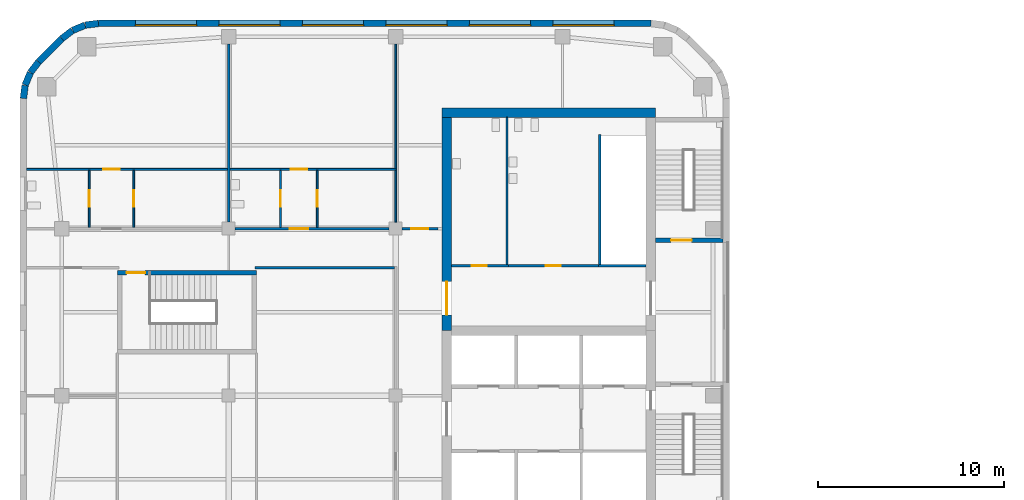
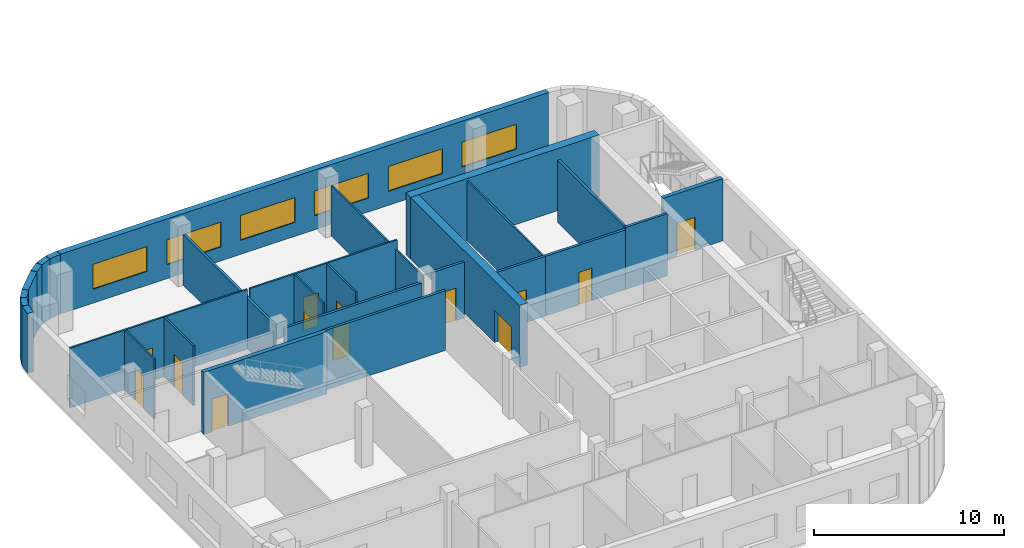
# One storey, part 7 of 16: 29 walls, 13 doors, 6 windows, 19 openings.
"""IFC4 building model written with IfcOpenShell, lengths in metres."""

from ifc_helpers import new_model, si_unit, direction, frame, frame_2d, origin, place, context, subcontext, project, spatial, rectangle, extrude, material, layer, layer_set, type_object, element, fill, save


model = new_model("IFC4")

# Units and contexts
model_context = context("Model", 3, precision=1e-05, world=origin(), true_north=direction((0.0, 1.0)))
body_context = subcontext(model_context, "Body", "Model", "MODEL_VIEW")
ifc_project = project(units=[si_unit("LENGTHUNIT", "METRE"), si_unit("AREAUNIT", "SQUARE_METRE"), si_unit("VOLUMEUNIT", "CUBIC_METRE"), si_unit("PLANEANGLEUNIT", "RADIAN"), si_unit("MASSUNIT", "GRAM", prefix="KILO")], contexts=[model_context])

# Site, building, storey
site_placement = place(None, origin())
site = spatial("IfcSite", under=ifc_project, at=site_placement, CompositionType="ELEMENT")
building_placement = place(site_placement, origin())
building = spatial("IfcBuilding", under=site, at=building_placement, Name="Cinnabar Reach Civic Tower", CompositionType="ELEMENT")
storey_placement = place(building_placement, frame((0.0, 0.0, 55.0)))
storey = spatial("IfcBuildingStorey", under=building, at=storey_placement, Name="L12", CompositionType="ELEMENT", Elevation=55.0)

# Walls
ifc_material_1 = material(Name="Facing brick with insulated backing", Category="masonry")
ifc_layer_1 = layer(ifc_material_1, 0.36)
ifc_layer_set_1 = layer_set([ifc_layer_1], Name="Brick corner wall")
wall_type_1 = type_object("IfcWallType", Name="Brick corner wall", PredefinedType="STANDARD", material=ifc_layer_set_1)
for number, where, z_axis, x_axis, name in (
    (1, (-61.0186, 47.067, 0.0), (0.0, 0.0, 1.0), (-0.99144092581, -0.13055608231, 0.0), "Brick corner wall"),
    (2, (-61.7473, 46.9681, 0.0), (0.0, 0.0, 1.0), (-0.923871547278, -0.382702709855, 0.0), "Brick corner wall"),
):
    element("IfcWall", number, at=place(storey_placement, frame(where, z_axis=z_axis, x_axis=x_axis)), inside=storey, type_object=wall_type_1, Name=name, PredefinedType="STANDARD", context=body_context, shape_type="SweptSolid", body=[
        extrude(rectangle(XDim=0.7131, YDim=0.36, at=frame_2d((0.3565, 0.0))), origin(), (0.0, 0.0, 1.0), 3.85),
    ])
for number, where, z_axis, x_axis, name in (
    (3, (-62.4255, 46.684, 0.0), (0.0, 0.0, 1.0), (-0.793321924995, -0.608802368033, 0.0), "Brick corner wall"),
    (4, (-64.2498, 44.9913, 0.0), (0.0, 0.0, 1.0), (-0.608802368033, -0.793321924995, 0.0), "Brick corner wall"),
):
    element("IfcWall", number, at=place(storey_placement, frame(where, z_axis=z_axis, x_axis=x_axis)), inside=storey, type_object=wall_type_1, Name=name, PredefinedType="STANDARD", context=body_context, shape_type="SweptSolid", body=[
        extrude(rectangle(XDim=0.7132, YDim=0.36, at=frame_2d((0.3566, 0.0))), origin(), (0.0, 0.0, 1.0), 3.85),
    ])
for number, where, z_axis, x_axis, name in (
    (5, (-64.6952, 44.4061, 0.0), (0.0, 0.0, 1.0), (-0.382702709855, -0.923871547278, 0.0), "Brick corner wall"),
    (6, (-64.9739, 43.7256, 0.0), (0.0, 0.0, 1.0), (-0.13055608231, -0.99144092581, 0.0), "Brick corner wall"),
):
    element("IfcWall", number, at=place(storey_placement, frame(where, z_axis=z_axis, x_axis=x_axis)), inside=storey, type_object=wall_type_1, Name=name, PredefinedType="STANDARD", context=body_context, shape_type="SweptSolid", body=[
        extrude(rectangle(XDim=0.7131, YDim=0.36, at=frame_2d((0.3565, 0.0))), origin(), (0.0, 0.0, 1.0), 3.85),
    ])

# Wall, openings, windows
ifc_layer_2 = layer(ifc_material_1, 0.36)
ifc_layer_set_2 = layer_set([ifc_layer_2], Name="Brick pier and spandrel wall")
wall_type_2 = type_object("IfcWallType", Name="Brick pier and spandrel wall", PredefinedType="STANDARD", material=ifc_layer_set_2)
wall_1_placement = place(storey_placement, frame((-31.2426, 47.07, 0.0), z_axis=(0.0, 0.0, 1.0), x_axis=(-1.0, 0.0, 0.0)))
wall_1 = element("IfcWall", 7, at=wall_1_placement, inside=storey, type_object=wall_type_2, Name="Brick facade wall", PredefinedType="STANDARD", context=body_context, shape_type="SweptSolid", body=[
    extrude(rectangle(XDim=29.7648, YDim=0.36, at=frame_2d((14.8824, 0.0))), origin(), (0.0, 0.0, 1.0), 3.85),
])
opening_1_placement = place(wall_1_placement, frame((1.9824, 0.0, 0.9)))
opening_1 = element("IfcOpeningElement", 8, at=opening_1_placement, cuts=wall_1, Name="Opening W2504", PredefinedType="OPENING", context=body_context, shape_type="SweptSolid", body=[
    extrude(rectangle(XDim=3.3, YDim=1.6, at=frame_2d((1.65, 0.8))), frame((0.0, 0.19, 0.0), z_axis=(0.0, -1.0, 0.0), x_axis=(1.0, 0.0, 0.0)), (0.0, 0.0, 1.0), 0.38),
])
opening_2_placement = place(wall_1_placement, frame((6.4824, 0.0, 0.9)))
opening_2 = element("IfcOpeningElement", 9, at=opening_2_placement, cuts=wall_1, Name="Opening W2505", PredefinedType="OPENING", context=body_context, shape_type="SweptSolid", body=[
    extrude(rectangle(XDim=3.3, YDim=1.6, at=frame_2d((1.65, 0.8))), frame((0.0, 0.19, 0.0), z_axis=(0.0, -1.0, 0.0), x_axis=(1.0, 0.0, 0.0)), (0.0, 0.0, 1.0), 0.38),
])
opening_3_placement = place(wall_1_placement, frame((10.9824, 0.0, 0.9)))
opening_3 = element("IfcOpeningElement", 10, at=opening_3_placement, cuts=wall_1, Name="Opening W2506", PredefinedType="OPENING", context=body_context, shape_type="SweptSolid", body=[
    extrude(rectangle(XDim=3.3, YDim=1.6, at=frame_2d((1.65, 0.8))), frame((0.0, 0.19, 0.0), z_axis=(0.0, -1.0, 0.0), x_axis=(1.0, 0.0, 0.0)), (0.0, 0.0, 1.0), 0.38),
])
opening_4_placement = place(wall_1_placement, frame((15.4824, 0.0, 0.9)))
opening_4 = element("IfcOpeningElement", 11, at=opening_4_placement, cuts=wall_1, Name="Opening W2507", PredefinedType="OPENING", context=body_context, shape_type="SweptSolid", body=[
    extrude(rectangle(XDim=3.3, YDim=1.6, at=frame_2d((1.65, 0.8))), frame((0.0, 0.19, 0.0), z_axis=(0.0, -1.0, 0.0), x_axis=(1.0, 0.0, 0.0)), (0.0, 0.0, 1.0), 0.38),
])
opening_5_placement = place(wall_1_placement, frame((19.9824, 0.0, 0.9)))
opening_5 = element("IfcOpeningElement", 12, at=opening_5_placement, cuts=wall_1, Name="Opening W2508", PredefinedType="OPENING", context=body_context, shape_type="SweptSolid", body=[
    extrude(rectangle(XDim=3.3, YDim=1.6, at=frame_2d((1.65, 0.8))), frame((0.0, 0.19, 0.0), z_axis=(0.0, -1.0, 0.0), x_axis=(1.0, 0.0, 0.0)), (0.0, 0.0, 1.0), 0.38),
])
opening_6_placement = place(wall_1_placement, frame((24.4824, 0.0, 0.9)))
opening_6 = element("IfcOpeningElement", 13, at=opening_6_placement, cuts=wall_1, Name="Opening W2509", PredefinedType="OPENING", context=body_context, shape_type="SweptSolid", body=[
    extrude(rectangle(XDim=3.3, YDim=1.6, at=frame_2d((1.65, 0.8))), frame((0.0, 0.19, 0.0), z_axis=(0.0, -1.0, 0.0), x_axis=(1.0, 0.0, 0.0)), (0.0, 0.0, 1.0), 0.38),
])
ifc_material_2 = material(Name="Clear double glazing in aluminium frame", Category="aluminium")
window_type = type_object("IfcWindowType", Name="Deep-set window A", PartitioningType="SINGLE_PANEL", PredefinedType="WINDOW", material=ifc_material_2)
window_1_placement = place(opening_1_placement, origin())
window_1 = element("IfcWindow", 14, at=window_1_placement, inside=storey, type_object=window_type, Name="Window north face", OverallHeight=1.6, OverallWidth=3.3, PartitioningType="SINGLE_PANEL", PredefinedType="WINDOW", context=body_context, shape_type="SweptSolid", body=[
    extrude(rectangle(XDim=3.3, YDim=1.6, at=frame_2d((1.65, 0.8))), frame((0.0, 0.13, 0.0), z_axis=(0.0, -1.0, 0.0), x_axis=(1.0, 0.0, 0.0)), (0.0, 0.0, 1.0), 0.06),
])
fill(opening_1, window_1)
window_2_placement = place(opening_2_placement, origin())
window_2 = element("IfcWindow", 15, at=window_2_placement, inside=storey, type_object=window_type, Name="Window north face", OverallHeight=1.6, OverallWidth=3.3, PartitioningType="SINGLE_PANEL", PredefinedType="WINDOW", context=body_context, shape_type="SweptSolid", body=[
    extrude(rectangle(XDim=3.3, YDim=1.6, at=frame_2d((1.65, 0.8))), frame((0.0, 0.13, 0.0), z_axis=(0.0, -1.0, 0.0), x_axis=(1.0, 0.0, 0.0)), (0.0, 0.0, 1.0), 0.06),
])
fill(opening_2, window_2)
window_3_placement = place(opening_3_placement, origin())
window_3 = element("IfcWindow", 16, at=window_3_placement, inside=storey, type_object=window_type, Name="Window north face", OverallHeight=1.6, OverallWidth=3.3, PartitioningType="SINGLE_PANEL", PredefinedType="WINDOW", context=body_context, shape_type="SweptSolid", body=[
    extrude(rectangle(XDim=3.3, YDim=1.6, at=frame_2d((1.65, 0.8))), frame((0.0, 0.13, 0.0), z_axis=(0.0, -1.0, 0.0), x_axis=(1.0, 0.0, 0.0)), (0.0, 0.0, 1.0), 0.06),
])
fill(opening_3, window_3)
window_4_placement = place(opening_4_placement, origin())
window_4 = element("IfcWindow", 17, at=window_4_placement, inside=storey, type_object=window_type, Name="Window north face", OverallHeight=1.6, OverallWidth=3.3, PartitioningType="SINGLE_PANEL", PredefinedType="WINDOW", context=body_context, shape_type="SweptSolid", body=[
    extrude(rectangle(XDim=3.3, YDim=1.6, at=frame_2d((1.65, 0.8))), frame((0.0, 0.13, 0.0), z_axis=(0.0, -1.0, 0.0), x_axis=(1.0, 0.0, 0.0)), (0.0, 0.0, 1.0), 0.06),
])
fill(opening_4, window_4)
window_5_placement = place(opening_5_placement, origin())
window_5 = element("IfcWindow", 18, at=window_5_placement, inside=storey, type_object=window_type, Name="Window north face", OverallHeight=1.6, OverallWidth=3.3, PartitioningType="SINGLE_PANEL", PredefinedType="WINDOW", context=body_context, shape_type="SweptSolid", body=[
    extrude(rectangle(XDim=3.3, YDim=1.6, at=frame_2d((1.65, 0.8))), frame((0.0, 0.13, 0.0), z_axis=(0.0, -1.0, 0.0), x_axis=(1.0, 0.0, 0.0)), (0.0, 0.0, 1.0), 0.06),
])
fill(opening_5, window_5)
window_6_placement = place(opening_6_placement, origin())
window_6 = element("IfcWindow", 19, at=window_6_placement, inside=storey, type_object=window_type, Name="Window north face", OverallHeight=1.6, OverallWidth=3.3, PartitioningType="SINGLE_PANEL", PredefinedType="WINDOW", context=body_context, shape_type="SweptSolid", body=[
    extrude(rectangle(XDim=3.3, YDim=1.6, at=frame_2d((1.65, 0.8))), frame((0.0, 0.13, 0.0), z_axis=(0.0, -1.0, 0.0), x_axis=(1.0, 0.0, 0.0)), (0.0, 0.0, 1.0), 0.06),
])
fill(opening_6, window_6)

# Walls
wall_2_placement = place(storey_placement, frame((-63.0014, 46.244, 0.0), z_axis=(0.0, 0.0, 1.0), x_axis=(-0.707106781187, -0.707106781187, 0.0)))
element("IfcWall", 20, at=wall_2_placement, inside=storey, type_object=wall_type_2, Name="Brick facade wall", PredefinedType="STANDARD", context=body_context, shape_type="SweptSolid", body=[
    extrude(rectangle(XDim=1.7573, YDim=0.36, at=frame_2d((0.8787, 0.0))), origin(), (0.0, 0.0, 1.0), 3.85),
])
ifc_material_3 = material(Name="Concrete C60", Category="concrete")
ifc_layer_3 = layer(ifc_material_3, 0.5)
ifc_layer_set_3 = layer_set([ifc_layer_3], Name="Core wall 500 EI 180")
wall_type_3 = type_object("IfcWallType", Name="Core wall 500 EI 180", PredefinedType="SOLIDWALL", material=ifc_layer_set_3)
wall_3_placement = place(storey_placement, frame((-31.0, 42.25, 0.0), z_axis=(0.0, 0.0, 1.0), x_axis=(-1.0, 0.0, 0.0)))
element("IfcWall", 21, at=wall_3_placement, inside=storey, type_object=wall_type_3, Name="Core wall T2 L12 N", PredefinedType="SOLIDWALL", context=body_context, shape_type="SweptSolid", body=[
    extrude(rectangle(XDim=11.5, YDim=0.5, at=frame_2d((5.75, 0.0))), origin(), (0.0, 0.0, 1.0), 4.0),
])

# Wall, opening, door
wall_4_placement = place(storey_placement, frame((-42.25, 42.0, 0.0), z_axis=(0.0, 0.0, 1.0), x_axis=(0.0, -1.0, 0.0)))
wall_4 = element("IfcWall", 22, at=wall_4_placement, inside=storey, type_object=wall_type_3, Name="Core wall T2 L12 W", PredefinedType="SOLIDWALL", context=body_context, shape_type="SweptSolid", body=[
    extrude(rectangle(XDim=11.5, YDim=0.5, at=frame_2d((5.75, 0.0))), origin(), (0.0, 0.0, 1.0), 4.0),
])
opening_7_placement = place(wall_4_placement, frame((8.85, 0.0, 0.0)))
opening_7 = element("IfcOpeningElement", 23, at=opening_7_placement, cuts=wall_4, Name="Opening D6452", PredefinedType="OPENING", context=body_context, shape_type="SweptSolid", body=[
    extrude(rectangle(XDim=1.8, YDim=2.1, at=frame_2d((0.9, 1.05))), frame((0.0, 0.26, 0.0), z_axis=(0.0, -1.0, 0.0), x_axis=(1.0, 0.0, 0.0)), (0.0, 0.0, 1.0), 0.52),
])
ifc_material_4 = material(Name="Steel fire door", Category="steel")
door_type_1 = type_object("IfcDoorType", Name="T2 Double door 1800", OperationType="DOUBLE_DOOR_SINGLE_SWING", PredefinedType="DOOR", material=ifc_material_4)
door_1_placement = place(opening_7_placement, frame((1.8, 0.0, 0.0), z_axis=(0.0, 0.0, 1.0), x_axis=(-1.0, 0.0, 0.0)))
door_1 = element("IfcDoor", 24, at=door_1_placement, inside=storey, type_object=door_type_1, Name="T2 Double door D6452", OperationType="DOUBLE_DOOR_SINGLE_SWING", OverallHeight=2.1, OverallWidth=1.8, PredefinedType="DOOR", context=body_context, shape_type="SweptSolid", body=[
    extrude(rectangle(XDim=1.8, YDim=2.1, at=frame_2d((0.9, 1.05))), frame((0.0, 0.025, 0.0), z_axis=(0.0, -1.0, 0.0), x_axis=(1.0, 0.0, 0.0)), (0.0, 0.0, 1.0), 0.05),
])
fill(opening_7, door_1)

ifc_material_5 = material(Name="Gypsum board on steel studs, double layer", Category="steel")
ifc_layer_4 = layer(ifc_material_5, 0.15)
ifc_layer_set_4 = layer_set([ifc_layer_4], Name="Corridor wall 150 T2")
wall_type_4 = type_object("IfcWallType", Name="Corridor wall 150 T2", PredefinedType="PARTITIONING", material=ifc_layer_set_4)
wall_5_placement = place(storey_placement, frame((-44.65, 36.0, 0.0), z_axis=(0.0, 0.0, 1.0), x_axis=(1.0, 0.0, 0.0)))
wall_5 = element("IfcWall", 25, at=wall_5_placement, inside=storey, type_object=wall_type_4, Name="Corridor wall 5", PredefinedType="PARTITIONING", context=body_context, shape_type="SweptSolid", body=[
    extrude(rectangle(XDim=1.925, YDim=0.15, at=frame_2d((0.9625, 0.0))), origin(), (0.0, 0.0, 1.0), 3.602),
])
opening_8_placement = place(wall_5_placement, frame((0.5, 0.0, 0.0)))
opening_8 = element("IfcOpeningElement", 26, at=opening_8_placement, cuts=wall_5, Name="Opening D6455", PredefinedType="OPENING", context=body_context, shape_type="SweptSolid", body=[
    extrude(rectangle(XDim=0.9, YDim=2.1, at=frame_2d((0.45, 1.05))), frame((0.0, 0.085, 0.0), z_axis=(0.0, -1.0, 0.0), x_axis=(1.0, 0.0, 0.0)), (0.0, 0.0, 1.0), 0.17),
])
ifc_material_6 = material(Name="Timber door leaf in steel frame", Category="steel")
door_type_2 = type_object("IfcDoorType", Name="Single swing door 900 x 2100 T2", OperationType="SINGLE_SWING_LEFT", PredefinedType="DOOR", material=ifc_material_6)
door_2_placement = place(opening_8_placement, origin())
door_2 = element("IfcDoor", 27, at=door_2_placement, inside=storey, type_object=door_type_2, Name="Door D6455", OperationType="SINGLE_SWING_LEFT", OverallHeight=2.1, OverallWidth=0.9, PredefinedType="DOOR", context=body_context, shape_type="SweptSolid", body=[
    extrude(rectangle(XDim=0.9, YDim=2.1, at=frame_2d((0.45, 1.05))), frame((0.0, 0.025, 0.0), z_axis=(0.0, -1.0, 0.0), x_axis=(1.0, 0.0, 0.0)), (0.0, 0.0, 1.0), 0.05),
])
fill(opening_8, door_2)

wall_6_placement = place(storey_placement, frame((-53.65, 36.0, 0.0), z_axis=(0.0, 0.0, 1.0), x_axis=(1.0, 0.0, 0.0)))
wall_6 = element("IfcWall", 28, at=wall_6_placement, inside=storey, type_object=wall_type_4, Name="Corridor wall 6", PredefinedType="PARTITIONING", context=body_context, shape_type="SweptSolid", body=[
    extrude(rectangle(XDim=8.3, YDim=0.15, at=frame_2d((4.15, 0.0))), origin(), (0.0, 0.0, 1.0), 3.158),
])
opening_9_placement = place(wall_6_placement, frame((2.94, 0.0, 0.0)))
opening_9 = element("IfcOpeningElement", 29, at=opening_9_placement, cuts=wall_6, Name="Opening D6478", PredefinedType="OPENING", context=body_context, shape_type="SweptSolid", body=[
    extrude(rectangle(XDim=1.0, YDim=2.1, at=frame_2d((0.5, 1.05))), frame((0.0, 0.085, 0.0), z_axis=(0.0, -1.0, 0.0), x_axis=(1.0, 0.0, 0.0)), (0.0, 0.0, 1.0), 0.17),
])
door_type_3 = type_object("IfcDoorType", Name="Tenancy entrance door 1000 x 2100 T2", OperationType="SINGLE_SWING_LEFT", PredefinedType="DOOR", material=ifc_material_6)
door_3_placement = place(opening_9_placement, origin())
door_3 = element("IfcDoor", 30, at=door_3_placement, inside=storey, type_object=door_type_3, Name="Door D6478", OperationType="SINGLE_SWING_RIGHT", OverallHeight=2.1, OverallWidth=1.0, PredefinedType="DOOR", context=body_context, shape_type="SweptSolid", body=[
    extrude(rectangle(XDim=1.0, YDim=2.1, at=frame_2d((0.5, 1.05))), frame((0.0, 0.025, 0.0), z_axis=(0.0, -1.0, 0.0), x_axis=(1.0, 0.0, 0.0)), (0.0, 0.0, 1.0), 0.05),
])
fill(opening_9, door_3)

# Wall
wall_7_placement = place(storey_placement, frame((-52.575, 33.9, 0.0), z_axis=(0.0, 0.0, 1.0), x_axis=(1.0, 0.0, 0.0)))
element("IfcWall", 31, at=wall_7_placement, inside=storey, type_object=wall_type_4, Name="Corridor wall 12", PredefinedType="PARTITIONING", context=body_context, shape_type="SweptSolid", body=[
    extrude(rectangle(XDim=7.5, YDim=0.15, at=frame_2d((3.75, 0.0))), origin(), (0.0, 0.0, 1.0), 3.85),
])

# Wall, opening, door
ifc_material_7 = material(Name="Gypsum board on steel studs", Category="steel")
ifc_layer_5 = layer(ifc_material_7, 0.1)
ifc_layer_set_5 = layer_set([ifc_layer_5], Name="Partition wall 100 T2")
wall_type_5 = type_object("IfcWallType", Name="Partition wall 100 T2", PredefinedType="PARTITIONING", material=ifc_layer_set_5)
wall_8_placement = place(storey_placement, frame((-53.925, 39.2, 0.0), z_axis=(0.0, 0.0, 1.0), x_axis=(1.0, 0.0, 0.0)))
wall_8 = element("IfcWall", 32, at=wall_8_placement, inside=storey, type_object=wall_type_5, Name="Partition wall 20", PredefinedType="PARTITIONING", context=body_context, shape_type="SweptSolid", body=[
    extrude(rectangle(XDim=8.975, YDim=0.1, at=frame_2d((4.4875, 0.0))), origin(), (0.0, 0.0, 1.0), 3.85),
])
opening_10_placement = place(wall_8_placement, frame((3.265, 0.0, 0.0)))
opening_10 = element("IfcOpeningElement", 33, at=opening_10_placement, cuts=wall_8, Name="Opening D6477", PredefinedType="OPENING", context=body_context, shape_type="SweptSolid", body=[
    extrude(rectangle(XDim=0.9, YDim=2.1, at=frame_2d((0.45, 1.05))), frame((0.0, 0.06, 0.0), z_axis=(0.0, -1.0, 0.0), x_axis=(1.0, 0.0, 0.0)), (0.0, 0.0, 1.0), 0.12),
])
door_4_placement = place(opening_10_placement, frame((0.9, 0.0, 0.0), z_axis=(0.0, 0.0, 1.0), x_axis=(-1.0, 0.0, 0.0)))
door_4 = element("IfcDoor", 34, at=door_4_placement, inside=storey, type_object=door_type_2, Name="Door D6477", OperationType="SINGLE_SWING_LEFT", OverallHeight=2.1, OverallWidth=0.9, PredefinedType="DOOR", context=body_context, shape_type="SweptSolid", body=[
    extrude(rectangle(XDim=0.9, YDim=2.1, at=frame_2d((0.45, 1.05))), frame((0.0, 0.025, 0.0), z_axis=(0.0, -1.0, 0.0), x_axis=(1.0, 0.0, 0.0)), (0.0, 0.0, 1.0), 0.05),
])
fill(opening_10, door_4)

wall_9_placement = place(storey_placement, frame((-64.89, 39.2, 0.0), z_axis=(0.0, 0.0, 1.0), x_axis=(1.0, 0.0, 0.0)))
wall_9 = element("IfcWall", 35, at=wall_9_placement, inside=storey, type_object=wall_type_5, Name="Partition wall 21", PredefinedType="PARTITIONING", context=body_context, shape_type="SweptSolid", body=[
    extrude(rectangle(XDim=10.815, YDim=0.1, at=frame_2d((5.4075, 0.0))), origin(), (0.0, 0.0, 1.0), 3.85),
])
opening_11_placement = place(wall_9_placement, frame((4.1259, 0.0, 0.0)))
opening_11 = element("IfcOpeningElement", 36, at=opening_11_placement, cuts=wall_9, Name="Opening D6473", PredefinedType="OPENING", context=body_context, shape_type="SweptSolid", body=[
    extrude(rectangle(XDim=0.9, YDim=2.1, at=frame_2d((0.45, 1.05))), frame((0.0, 0.06, 0.0), z_axis=(0.0, -1.0, 0.0), x_axis=(1.0, 0.0, 0.0)), (0.0, 0.0, 1.0), 0.12),
])
door_5_placement = place(opening_11_placement, frame((0.9, 0.0, 0.0), z_axis=(0.0, 0.0, 1.0), x_axis=(-1.0, 0.0, 0.0)))
door_5 = element("IfcDoor", 37, at=door_5_placement, inside=storey, type_object=door_type_2, Name="Door D6473", OperationType="SINGLE_SWING_RIGHT", OverallHeight=2.1, OverallWidth=0.9, PredefinedType="DOOR", context=body_context, shape_type="SweptSolid", body=[
    extrude(rectangle(XDim=0.9, YDim=2.1, at=frame_2d((0.45, 1.05))), frame((0.0, 0.025, 0.0), z_axis=(0.0, -1.0, 0.0), x_axis=(1.0, 0.0, 0.0)), (0.0, 0.0, 1.0), 0.05),
])
fill(opening_11, door_5)

# Walls
wall_10_placement = place(storey_placement, frame((-45.0, 39.25, 0.0), z_axis=(0.0, 0.0, 1.0), x_axis=(0.0, 1.0, 0.0)))
element("IfcWall", 38, at=wall_10_placement, inside=storey, type_object=wall_type_5, Name="Partition wall 22", PredefinedType="PARTITIONING", context=body_context, shape_type="SweptSolid", body=[
    extrude(rectangle(XDim=6.7, YDim=0.1, at=frame_2d((3.35, 0.0))), origin(), (0.0, 0.0, 1.0), 3.256),
])
wall_11_placement = place(storey_placement, frame((-45.0, 36.35, 0.0), z_axis=(0.0, 0.0, 1.0), x_axis=(0.0, 1.0, 0.0)))
element("IfcWall", 39, at=wall_11_placement, inside=storey, type_object=wall_type_5, Name="Partition wall 23", PredefinedType="PARTITIONING", context=body_context, shape_type="SweptSolid", body=[
    extrude(rectangle(XDim=2.8, YDim=0.1, at=frame_2d((1.4, 0.0))), origin(), (0.0, 0.0, 1.0), 3.256),
])

# Wall, opening, door
wall_12_placement = place(storey_placement, frame((-61.5141, 36.075, 0.0), z_axis=(0.0, 0.0, 1.0), x_axis=(0.0, 1.0, 0.0)))
wall_12 = element("IfcWall", 40, at=wall_12_placement, inside=storey, type_object=wall_type_5, Name="Partition wall 32", PredefinedType="PARTITIONING", context=body_context, shape_type="SweptSolid", body=[
    extrude(rectangle(XDim=3.075, YDim=0.1, at=frame_2d((1.5375, 0.0))), origin(), (0.0, 0.0, 1.0), 3.85),
])
opening_12_placement = place(wall_12_placement, frame((1.1, 0.0, 0.0)))
opening_12 = element("IfcOpeningElement", 41, at=opening_12_placement, cuts=wall_12, Name="Opening D6471", PredefinedType="OPENING", context=body_context, shape_type="SweptSolid", body=[
    extrude(rectangle(XDim=0.9, YDim=2.1, at=frame_2d((0.45, 1.05))), frame((0.0, 0.06, 0.0), z_axis=(0.0, -1.0, 0.0), x_axis=(1.0, 0.0, 0.0)), (0.0, 0.0, 1.0), 0.12),
])
door_6_placement = place(opening_12_placement, origin())
door_6 = element("IfcDoor", 42, at=door_6_placement, inside=storey, type_object=door_type_2, Name="Door D6471", OperationType="SINGLE_SWING_RIGHT", OverallHeight=2.1, OverallWidth=0.9, PredefinedType="DOOR", context=body_context, shape_type="SweptSolid", body=[
    extrude(rectangle(XDim=0.9, YDim=2.1, at=frame_2d((0.45, 1.05))), frame((0.0, 0.025, 0.0), z_axis=(0.0, -1.0, 0.0), x_axis=(1.0, 0.0, 0.0)), (0.0, 0.0, 1.0), 0.05),
])
fill(opening_12, door_6)

wall_13_placement = place(storey_placement, frame((-59.1183, 36.075, 0.0), z_axis=(0.0, 0.0, 1.0), x_axis=(0.0, 1.0, 0.0)))
wall_13 = element("IfcWall", 43, at=wall_13_placement, inside=storey, type_object=wall_type_5, Name="Partition wall 33", PredefinedType="PARTITIONING", context=body_context, shape_type="SweptSolid", body=[
    extrude(rectangle(XDim=3.075, YDim=0.1, at=frame_2d((1.5375, 0.0))), origin(), (0.0, 0.0, 1.0), 3.85),
])
opening_13_placement = place(wall_13_placement, frame((1.1, 0.0, 0.0)))
opening_13 = element("IfcOpeningElement", 44, at=opening_13_placement, cuts=wall_13, Name="Opening D6472", PredefinedType="OPENING", context=body_context, shape_type="SweptSolid", body=[
    extrude(rectangle(XDim=0.9, YDim=2.1, at=frame_2d((0.45, 1.05))), frame((0.0, 0.06, 0.0), z_axis=(0.0, -1.0, 0.0), x_axis=(1.0, 0.0, 0.0)), (0.0, 0.0, 1.0), 0.12),
])
door_7_placement = place(opening_13_placement, origin())
door_7 = element("IfcDoor", 45, at=door_7_placement, inside=storey, type_object=door_type_2, Name="Door D6472", OperationType="SINGLE_SWING_LEFT", OverallHeight=2.1, OverallWidth=0.9, PredefinedType="DOOR", context=body_context, shape_type="SweptSolid", body=[
    extrude(rectangle(XDim=0.9, YDim=2.1, at=frame_2d((0.45, 1.05))), frame((0.0, 0.025, 0.0), z_axis=(0.0, -1.0, 0.0), x_axis=(1.0, 0.0, 0.0)), (0.0, 0.0, 1.0), 0.05),
])
fill(opening_13, door_7)

wall_14_placement = place(storey_placement, frame((-51.21, 36.075, 0.0), z_axis=(0.0, 0.0, 1.0), x_axis=(0.0, 1.0, 0.0)))
wall_14 = element("IfcWall", 46, at=wall_14_placement, inside=storey, type_object=wall_type_5, Name="Partition wall 34", PredefinedType="PARTITIONING", context=body_context, shape_type="SweptSolid", body=[
    extrude(rectangle(XDim=3.075, YDim=0.1, at=frame_2d((1.5375, 0.0))), origin(), (0.0, 0.0, 1.0), 3.85),
])
opening_14_placement = place(wall_14_placement, frame((1.1, 0.0, 0.0)))
opening_14 = element("IfcOpeningElement", 47, at=opening_14_placement, cuts=wall_14, Name="Opening D6475", PredefinedType="OPENING", context=body_context, shape_type="SweptSolid", body=[
    extrude(rectangle(XDim=0.9, YDim=2.1, at=frame_2d((0.45, 1.05))), frame((0.0, 0.06, 0.0), z_axis=(0.0, -1.0, 0.0), x_axis=(1.0, 0.0, 0.0)), (0.0, 0.0, 1.0), 0.12),
])
door_8_placement = place(opening_14_placement, origin())
door_8 = element("IfcDoor", 48, at=door_8_placement, inside=storey, type_object=door_type_2, Name="Door D6475", OperationType="SINGLE_SWING_LEFT", OverallHeight=2.1, OverallWidth=0.9, PredefinedType="DOOR", context=body_context, shape_type="SweptSolid", body=[
    extrude(rectangle(XDim=0.9, YDim=2.1, at=frame_2d((0.45, 1.05))), frame((0.0, 0.025, 0.0), z_axis=(0.0, -1.0, 0.0), x_axis=(1.0, 0.0, 0.0)), (0.0, 0.0, 1.0), 0.05),
])
fill(opening_14, door_8)

wall_15_placement = place(storey_placement, frame((-49.23, 36.075, 0.0), z_axis=(0.0, 0.0, 1.0), x_axis=(0.0, 1.0, 0.0)))
wall_15 = element("IfcWall", 49, at=wall_15_placement, inside=storey, type_object=wall_type_5, Name="Partition wall 35", PredefinedType="PARTITIONING", context=body_context, shape_type="SweptSolid", body=[
    extrude(rectangle(XDim=3.075, YDim=0.1, at=frame_2d((1.5375, 0.0))), origin(), (0.0, 0.0, 1.0), 3.85),
])
opening_15_placement = place(wall_15_placement, frame((1.1, 0.0, 0.0)))
opening_15 = element("IfcOpeningElement", 50, at=opening_15_placement, cuts=wall_15, Name="Opening D6476", PredefinedType="OPENING", context=body_context, shape_type="SweptSolid", body=[
    extrude(rectangle(XDim=0.9, YDim=2.1, at=frame_2d((0.45, 1.05))), frame((0.0, 0.06, 0.0), z_axis=(0.0, -1.0, 0.0), x_axis=(1.0, 0.0, 0.0)), (0.0, 0.0, 1.0), 0.12),
])
door_9_placement = place(opening_15_placement, origin())
door_9 = element("IfcDoor", 51, at=door_9_placement, inside=storey, type_object=door_type_2, Name="Door D6476", OperationType="SINGLE_SWING_RIGHT", OverallHeight=2.1, OverallWidth=0.9, PredefinedType="DOOR", context=body_context, shape_type="SweptSolid", body=[
    extrude(rectangle(XDim=0.9, YDim=2.1, at=frame_2d((0.45, 1.05))), frame((0.0, 0.025, 0.0), z_axis=(0.0, -1.0, 0.0), x_axis=(1.0, 0.0, 0.0)), (0.0, 0.0, 1.0), 0.05),
])
fill(opening_15, door_9)

ifc_layer_6 = layer(ifc_material_3, 0.25)
ifc_layer_set_6 = layer_set([ifc_layer_6], Name="Stair shaft wall 250 EI 120")
wall_type_6 = type_object("IfcWallType", Name="Stair shaft wall 250 EI 120", PredefinedType="SOLIDWALL", material=ifc_layer_set_6)
wall_16_placement = place(storey_placement, frame((-31.0, 35.375, 0.0), z_axis=(0.0, 0.0, 1.0), x_axis=(1.0, 0.0, 0.0)))
wall_16 = element("IfcWall", 52, at=wall_16_placement, inside=storey, type_object=wall_type_6, Name="Stair shaft wall T2-S2 L12", PredefinedType="SOLIDWALL", context=body_context, shape_type="SweptSolid", body=[
    extrude(rectangle(XDim=3.64, YDim=0.25, at=frame_2d((1.82, 0.0))), origin(), (0.0, 0.0, 1.0), 4.0),
])
opening_16_placement = place(wall_16_placement, frame((0.85, 0.0, 0.0)))
opening_16 = element("IfcOpeningElement", 53, at=opening_16_placement, cuts=wall_16, Name="Opening D6449", PredefinedType="OPENING", context=body_context, shape_type="SweptSolid", body=[
    extrude(rectangle(XDim=1.1, YDim=2.1, at=frame_2d((0.55, 1.05))), frame((0.0, 0.135, 0.0), z_axis=(0.0, -1.0, 0.0), x_axis=(1.0, 0.0, 0.0)), (0.0, 0.0, 1.0), 0.27),
])
door_type_4 = type_object("IfcDoorType", Name="T2 Stair door 1100", OperationType="SINGLE_SWING_LEFT", PredefinedType="DOOR", material=ifc_material_4)
door_10_placement = place(opening_16_placement, origin())
door_10 = element("IfcDoor", 54, at=door_10_placement, inside=storey, type_object=door_type_4, Name="T2 Stair door D6449", OperationType="SINGLE_SWING_RIGHT", OverallHeight=2.1, OverallWidth=1.1, PredefinedType="DOOR", context=body_context, shape_type="SweptSolid", body=[
    extrude(rectangle(XDim=1.1, YDim=2.1, at=frame_2d((0.55, 1.05))), frame((0.0, 0.025, 0.0), z_axis=(0.0, -1.0, 0.0), x_axis=(1.0, 0.0, 0.0)), (0.0, 0.0, 1.0), 0.05),
])
fill(opening_16, door_10)

wall_17_placement = place(storey_placement, frame((-52.5, 33.625, 0.0), z_axis=(0.0, 0.0, 1.0), x_axis=(-1.0, 0.0, 0.0)))
wall_17 = element("IfcWall", 55, at=wall_17_placement, inside=storey, type_object=wall_type_6, Name="Stair shaft wall T2-S3 L12", PredefinedType="SOLIDWALL", context=body_context, shape_type="SweptSolid", body=[
    extrude(rectangle(XDim=7.5, YDim=0.25, at=frame_2d((3.75, 0.0))), origin(), (0.0, 0.0, 1.0), 4.0),
])
opening_17_placement = place(wall_17_placement, frame((6.0, 0.0, 0.0)))
opening_17 = element("IfcOpeningElement", 56, at=opening_17_placement, cuts=wall_17, Name="Opening D6483", PredefinedType="OPENING", context=body_context, shape_type="SweptSolid", body=[
    extrude(rectangle(XDim=1.0, YDim=2.1, at=frame_2d((0.5, 1.05))), frame((0.0, 0.135, 0.0), z_axis=(0.0, -1.0, 0.0), x_axis=(1.0, 0.0, 0.0)), (0.0, 0.0, 1.0), 0.27),
])
door_type_5 = type_object("IfcDoorType", Name="Stair door 1000 x 2100 T2", OperationType="SINGLE_SWING_LEFT", PredefinedType="DOOR", material=ifc_material_6)
door_11_placement = place(opening_17_placement, origin())
door_11 = element("IfcDoor", 57, at=door_11_placement, inside=storey, type_object=door_type_5, Name="Door D6483", OperationType="SINGLE_SWING_RIGHT", OverallHeight=2.1, OverallWidth=1.0, PredefinedType="DOOR", context=body_context, shape_type="SweptSolid", body=[
    extrude(rectangle(XDim=1.0, YDim=2.1, at=frame_2d((0.5, 1.05))), frame((0.0, 0.025, 0.0), z_axis=(0.0, -1.0, 0.0), x_axis=(1.0, 0.0, 0.0)), (0.0, 0.0, 1.0), 0.05),
])
fill(opening_17, door_11)

ifc_material_8 = material(Name="Masonry block partition", Category="masonry")
ifc_layer_7 = layer(ifc_material_8, 0.15)
ifc_layer_set_7 = layer_set([ifc_layer_7], Name="T2 Corridor wall 150")
wall_type_7 = type_object("IfcWallType", Name="T2 Corridor wall 150", PredefinedType="PARTITIONING", material=ifc_layer_set_7)
wall_18_placement = place(storey_placement, frame((-38.925, 34.0, 0.0), z_axis=(0.0, 0.0, 1.0), x_axis=(-1.0, 0.0, 0.0)))
wall_18 = element("IfcWall", 58, at=wall_18_placement, inside=storey, type_object=wall_type_7, Name="T2 Corridor wall L12 014", PredefinedType="PARTITIONING", context=body_context, shape_type="SweptSolid", body=[
    extrude(rectangle(XDim=3.075, YDim=0.15, at=frame_2d((1.5375, 0.0))), origin(), (0.0, 0.0, 1.0), 3.85),
])
opening_18_placement = place(wall_18_placement, frame((1.175, 0.0, 0.0)))
opening_18 = element("IfcOpeningElement", 59, at=opening_18_placement, cuts=wall_18, Name="Opening D6453", PredefinedType="OPENING", context=body_context, shape_type="SweptSolid", body=[
    extrude(rectangle(XDim=0.8, YDim=2.1, at=frame_2d((0.4, 1.05))), frame((0.0, 0.085, 0.0), z_axis=(0.0, -1.0, 0.0), x_axis=(1.0, 0.0, 0.0)), (0.0, 0.0, 1.0), 0.17),
])
ifc_material_9 = material(Name="Timber door leaf", Category="wood")
door_type_6 = type_object("IfcDoorType", Name="T2 Bathroom door 800", OperationType="SINGLE_SWING_LEFT", PredefinedType="DOOR", material=ifc_material_9)
door_12_placement = place(opening_18_placement, frame((0.8, 0.0, 0.0), z_axis=(0.0, 0.0, 1.0), x_axis=(-1.0, 0.0, 0.0)))
door_12 = element("IfcDoor", 60, at=door_12_placement, inside=storey, type_object=door_type_6, Name="T2 Bathroom door D6453", OperationType="SINGLE_SWING_RIGHT", OverallHeight=2.1, OverallWidth=0.8, PredefinedType="DOOR", context=body_context, shape_type="SweptSolid", body=[
    extrude(rectangle(XDim=0.8, YDim=2.1, at=frame_2d((0.4, 1.05))), frame((0.0, 0.025, 0.0), z_axis=(0.0, -1.0, 0.0), x_axis=(1.0, 0.0, 0.0)), (0.0, 0.0, 1.0), 0.05),
])
fill(opening_18, door_12)

wall_19_placement = place(storey_placement, frame((-34.075, 34.0, 0.0), z_axis=(0.0, 0.0, 1.0), x_axis=(-1.0, 0.0, 0.0)))
wall_19 = element("IfcWall", 61, at=wall_19_placement, inside=storey, type_object=wall_type_7, Name="T2 Corridor wall L12 015", PredefinedType="PARTITIONING", context=body_context, shape_type="SweptSolid", body=[
    extrude(rectangle(XDim=4.85, YDim=0.15, at=frame_2d((2.425, 0.0))), origin(), (0.0, 0.0, 1.0), 3.85),
])
opening_19_placement = place(wall_19_placement, frame((2.025, 0.0, 0.0)))
opening_19 = element("IfcOpeningElement", 62, at=opening_19_placement, cuts=wall_19, Name="Opening D6454", PredefinedType="OPENING", context=body_context, shape_type="SweptSolid", body=[
    extrude(rectangle(XDim=0.8, YDim=2.1, at=frame_2d((0.4, 1.05))), frame((0.0, 0.085, 0.0), z_axis=(0.0, -1.0, 0.0), x_axis=(1.0, 0.0, 0.0)), (0.0, 0.0, 1.0), 0.17),
])
door_13_placement = place(opening_19_placement, frame((0.8, 0.0, 0.0), z_axis=(0.0, 0.0, 1.0), x_axis=(-1.0, 0.0, 0.0)))
door_13 = element("IfcDoor", 63, at=door_13_placement, inside=storey, type_object=door_type_6, Name="T2 Bathroom door D6454", OperationType="SINGLE_SWING_LEFT", OverallHeight=2.1, OverallWidth=0.8, PredefinedType="DOOR", context=body_context, shape_type="SweptSolid", body=[
    extrude(rectangle(XDim=0.8, YDim=2.1, at=frame_2d((0.4, 1.05))), frame((0.0, 0.025, 0.0), z_axis=(0.0, -1.0, 0.0), x_axis=(1.0, 0.0, 0.0)), (0.0, 0.0, 1.0), 0.05),
])
fill(opening_19, door_13)

# Walls
ifc_material_10 = material(Name="Gypsum board partition")
ifc_layer_8 = layer(ifc_material_10, 0.1)
ifc_layer_set_8 = layer_set([ifc_layer_8], Name="T2 Internal partition 100")
wall_type_8 = type_object("IfcWallType", Name="T2 Internal partition 100", PredefinedType="PARTITIONING", material=ifc_layer_set_8)
wall_20_placement = place(storey_placement, frame((-39.0, 34.075, 0.0), z_axis=(0.0, 0.0, 1.0), x_axis=(0.0, 1.0, 0.0)))
element("IfcWall", 64, at=wall_20_placement, inside=storey, type_object=wall_type_8, Name="T2 Internal partition L12 016", PredefinedType="PARTITIONING", context=body_context, shape_type="SweptSolid", body=[
    extrude(rectangle(XDim=7.925, YDim=0.1, at=frame_2d((3.9625, 0.0))), origin(), (0.0, 0.0, 1.0), 3.85),
])
ifc_material_11 = material(Name="Concrete C40", Category="concrete")
ifc_layer_9 = layer(ifc_material_11, 0.15)
ifc_layer_set_9 = layer_set([ifc_layer_9], Name="T2 Riser wall 150")
wall_type_9 = type_object("IfcWallType", Name="T2 Riser wall 150", PredefinedType="SOLIDWALL", material=ifc_layer_set_9)
wall_21_placement = place(storey_placement, frame((-34.075, 34.0, 0.0), z_axis=(0.0, 0.0, 1.0), x_axis=(1.0, 0.0, 0.0)))
element("IfcWall", 65, at=wall_21_placement, inside=storey, type_object=wall_type_9, Name="T2 Riser wall L12 012", PredefinedType="SOLIDWALL", context=body_context, shape_type="SweptSolid", body=[
    extrude(rectangle(XDim=2.575, YDim=0.15, at=frame_2d((1.2875, 0.0))), origin(), (0.0, 0.0, 1.0), 4.0),
])
wall_22_placement = place(storey_placement, frame((-34.0, 41.075, 0.0), z_axis=(0.0, 0.0, 1.0), x_axis=(0.0, -1.0, 0.0)))
element("IfcWall", 66, at=wall_22_placement, inside=storey, type_object=wall_type_9, Name="T2 Riser wall L12 013", PredefinedType="SOLIDWALL", context=body_context, shape_type="SweptSolid", body=[
    extrude(rectangle(XDim=7.0, YDim=0.15, at=frame_2d((3.5, 0.0))), origin(), (0.0, 0.0, 1.0), 4.0),
])
ifc_layer_10 = layer(ifc_material_5, 0.15)
ifc_layer_set_10 = layer_set([ifc_layer_10], Name="Tenancy separating wall 150 T2")
wall_type_10 = type_object("IfcWallType", Name="Tenancy separating wall 150 T2", PredefinedType="PARTITIONING", material=ifc_layer_set_10)
wall_23_placement = place(storey_placement, frame((-54.0, 36.35, 0.0), z_axis=(0.0, 0.0, 1.0), x_axis=(0.0, 1.0, 0.0)))
element("IfcWall", 67, at=wall_23_placement, inside=storey, type_object=wall_type_10, Name="Tenancy separating wall 14", PredefinedType="PARTITIONING", context=body_context, shape_type="SweptSolid", body=[
    extrude(rectangle(XDim=9.6, YDim=0.15, at=frame_2d((4.8, 0.0))), origin(), (0.0, 0.0, 1.0), 3.256),
])

save(model, "model.ifc")
